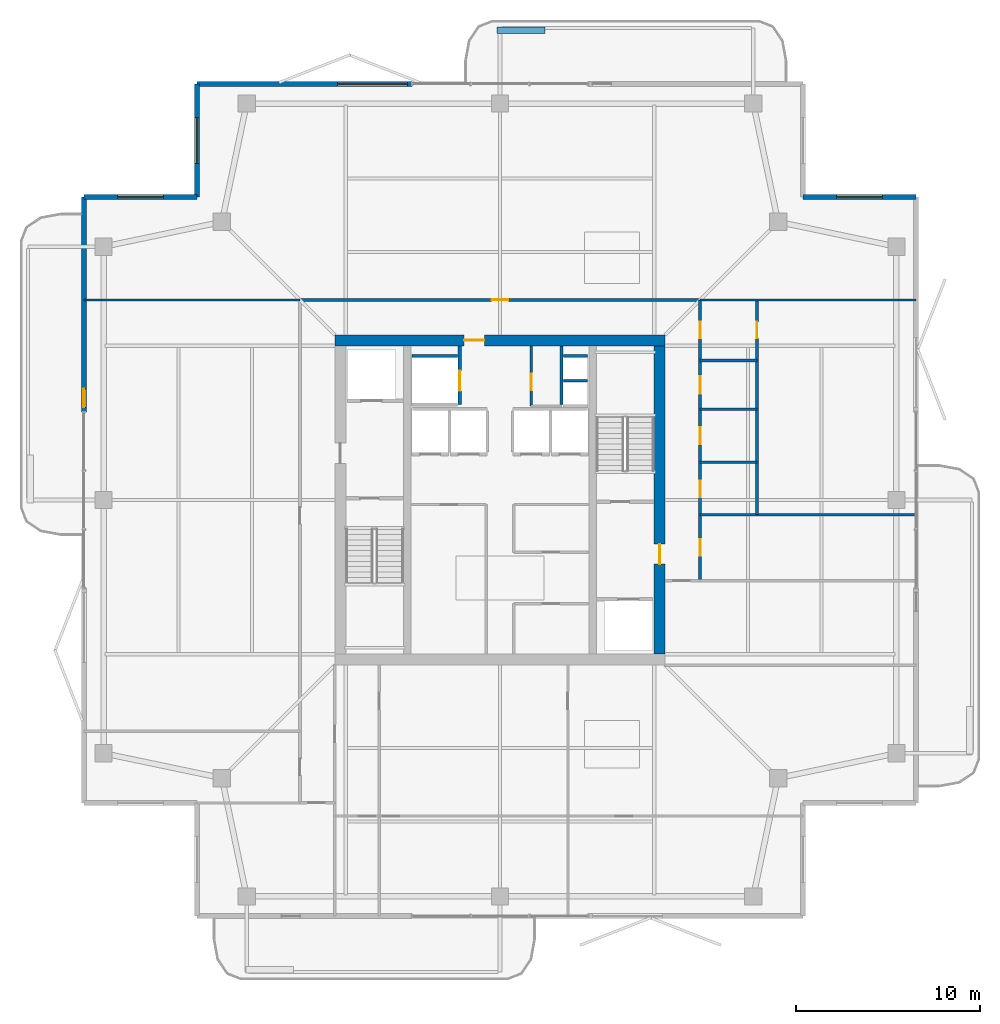
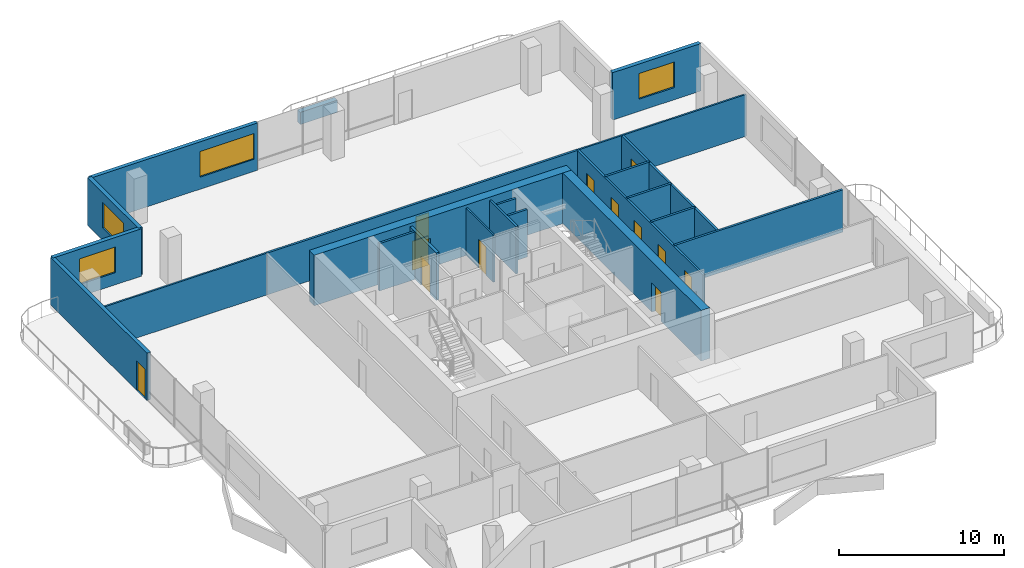
# One storey, part 14 of 17: 23 walls, 12 doors, 4 windows, 16 openings.
"""IFC4 building model written with IfcOpenShell, lengths in metres."""

from ifc_helpers import new_model, si_unit, direction, frame, frame_2d, origin, place, context, subcontext, project, spatial, rectangle, extrude, material, layer, layer_set, type_object, element, fill, save


model = new_model("IFC4")

# Units and contexts
model_context = context("Model", 3, precision=1e-05, world=origin(), true_north=direction((0.0, 1.0)))
body_context = subcontext(model_context, "Body", "Model", "MODEL_VIEW")
ifc_project = project(units=[si_unit("LENGTHUNIT", "METRE"), si_unit("AREAUNIT", "SQUARE_METRE"), si_unit("VOLUMEUNIT", "CUBIC_METRE"), si_unit("PLANEANGLEUNIT", "RADIAN"), si_unit("MASSUNIT", "GRAM", prefix="KILO")], contexts=[model_context])

# Site, building, storey
site_placement = place(None, origin())
site = spatial("IfcSite", under=ifc_project, at=site_placement, CompositionType="ELEMENT")
building_placement = place(site_placement, origin())
building = spatial("IfcBuilding", under=site, at=building_placement, Name="Belovzor Exchange Tower", CompositionType="ELEMENT")
storey_placement = place(building_placement, frame((0.0, 0.0, 325.5)))
storey = spatial("IfcBuildingStorey", under=building, at=storey_placement, Name="L81", CompositionType="ELEMENT", Elevation=325.5)

# Walls
ifc_material_1 = material(Name="Acoustic Plasterboard on Galvanised Studs", Category="gypsum")
ifc_layer_1 = layer(ifc_material_1, 0.1201171875)
ifc_layer_set_1 = layer_set([ifc_layer_1], Name="Acoustic Plasterboard on Galvanised Studs")
wall_type_1 = type_object("IfcWallType", Name="Acoustic Double-Stud Partition Wall 120", PredefinedType="PARTITIONING", material=ifc_layer_set_1)
for number, where, z_axis, x_axis, name in (
    (1, (6.1298828125, 39.699951171875, 0.0), (0.0, 0.0, 1.0), (1.0, 0.0, 0.0), "W-P120 Partition Wall W-L81-END-NW"),
    (2, (39.699951171875, 39.699951171875, 0.0), (0.0, 0.0, 1.0), (1.0, 0.0, 0.0), "W-P120 Partition Wall W-L81-END-NE"),
):
    element("IfcWall", number, at=place(storey_placement, frame(where, z_axis=z_axis, x_axis=x_axis)), inside=storey, type_object=wall_type_1, Name=name, PredefinedType="PARTITIONING", context=body_context, shape_type="SweptSolid", body=[
        extrude(rectangle(XDim=11.77001953125, YDim=0.1201171875, at=frame_2d((5.885009765625, 0.0))), origin(), (0.0, 0.0, 1.0), 3.094970703125),
    ])

# Wall, opening, door
ifc_material_2 = material(Name="Fire-Rated Plasterboard on Galvanised Studs", Category="gypsum")
ifc_layer_2 = layer(ifc_material_2, 0.1201171875)
ifc_layer_set_2 = layer_set([ifc_layer_2], Name="Fire-Rated Plasterboard on Galvanised Studs")
wall_type_2 = type_object("IfcWallType", Name="Fire-Rated Double-Stud Partition Wall 120", PredefinedType="PARTITIONING", material=ifc_layer_set_2)
wall_1_placement = place(storey_placement, frame((30.5, 33.925048828125, 0.0), z_axis=(0.0, 0.0, 1.0), x_axis=(0.0, 1.0, 0.0)))
wall_1 = element("IfcWall", 3, at=wall_1_placement, inside=storey, type_object=wall_type_2, Name="W-P120F Partition Wall W-CRV-L81-W", PredefinedType="PARTITIONING", context=body_context, shape_type="SweptSolid", body=[
    extrude(rectangle(XDim=3.27490234375, YDim=0.1201171875, at=frame_2d((1.637451171875, 0.0))), origin(), (0.0, 0.0, 1.0), 3.510009765625),
])
opening_1_placement = place(wall_1_placement, frame((0.85009765625, 0.0, 0.0)))
opening_1 = element("IfcOpeningElement", 4, at=opening_1_placement, cuts=wall_1, Name="Opening D-FD60-090", PredefinedType="OPENING", context=body_context, shape_type="SweptSolid", body=[
    extrude(rectangle(XDim=0.89990234375, YDim=2.10009765625, at=frame_2d((0.449951171875, 1.050048828125))), frame((0.0, 0.070068359375, 0.0), z_axis=(0.0, -1.0, 0.0), x_axis=(1.0, 0.0, 0.0)), (0.0, 0.0, 1.0), 0.14013671875),
])
ifc_material_3 = material(Name="Acoustic Timber Fire Leaf", Category="wood")
door_type_1 = type_object("IfcDoorType", Name="Core Service & Restroom Fire Door 900x2100", OperationType="NOTDEFINED", PredefinedType="DOOR", material=ifc_material_3)
door_1_placement = place(opening_1_placement, origin())
door_1 = element("IfcDoor", 5, at=door_1_placement, inside=storey, type_object=door_type_1, Name="D-FD60-090 Core Service & Restroom Fire Door 900x2100", OperationType="SINGLE_SWING_LEFT", OverallHeight=2.10009765625, OverallWidth=0.89990234375, PredefinedType="DOOR", context=body_context, shape_type="SweptSolid", body=[
    extrude(rectangle(XDim=0.89990234375, YDim=2.10009765625, at=frame_2d((0.449951171875, 1.050048828125))), frame((0.0, 0.02490234375, 0.0), z_axis=(0.0, -1.0, 0.0), x_axis=(1.0, 0.0, 0.0)), (0.0, 0.0, 1.0), 0.050048828125),
])
fill(opening_1, door_1)

ifc_material_4 = material(Name="Fire-Rated Gypsum Block and Mineral Wool", Category="gypsum")
ifc_layer_3 = layer(ifc_material_4, 0.14990234375)
ifc_layer_set_3 = layer_set([ifc_layer_3], Name="Fire-Rated Gypsum Block and Mineral Wool")
wall_type_3 = type_object("IfcWallType", Name="Fire-Rated Gypsum Block Corridor Wall 150", PredefinedType="PARTITIONING", material=ifc_layer_set_3)
wall_2_placement = place(storey_placement, frame((42.800048828125, 28.0, 0.0), z_axis=(0.0, 0.0, 1.0), x_axis=(0.0, 1.0, 0.0)))
wall_2 = element("IfcWall", 6, at=wall_2_placement, inside=storey, type_object=wall_type_3, Name="W-P150 Partition Wall W-L81-EWC-E", PredefinedType="PARTITIONING", context=body_context, shape_type="SweptSolid", body=[
    extrude(rectangle(XDim=11.699951171875, YDim=0.14990234375, at=frame_2d((5.85009765625, 0.0))), origin(), (0.0, 0.0, 1.0), 3.094970703125),
])
opening_2_placement = place(wall_2_placement, frame((9.60009765625, 0.0, 0.0)))
opening_2 = element("IfcOpeningElement", 7, at=opening_2_placement, cuts=wall_2, Name="Opening D-INT-090", PredefinedType="OPENING", context=body_context, shape_type="SweptSolid", body=[
    extrude(rectangle(XDim=0.89990234375, YDim=2.10009765625, at=frame_2d((0.449951171875, 1.050048828125))), frame((0.0, 0.0849609375, 0.0), z_axis=(0.0, -1.0, 0.0), x_axis=(1.0, 0.0, 0.0)), (0.0, 0.0, 1.0), 0.169921875),
])
ifc_material_5 = material(Name="Veneered Hardwood Acoustic Leaf", Category="wood")
door_type_2 = type_object("IfcDoorType", Name="Trading Suite Acoustic Single Door 900x2100", OperationType="NOTDEFINED", PredefinedType="DOOR", material=ifc_material_5)
door_2_placement = place(opening_2_placement, origin())
door_2 = element("IfcDoor", 8, at=door_2_placement, inside=storey, type_object=door_type_2, Name="D-INT-090 Trading Suite Acoustic Single Door 900x2100", OperationType="SINGLE_SWING_RIGHT", OverallHeight=2.10009765625, OverallWidth=0.89990234375, PredefinedType="DOOR", context=body_context, shape_type="SweptSolid", body=[
    extrude(rectangle(XDim=0.89990234375, YDim=2.10009765625, at=frame_2d((0.449951171875, 1.050048828125))), frame((0.0, 0.02490234375, 0.0), z_axis=(0.0, -1.0, 0.0), x_axis=(1.0, 0.0, 0.0)), (0.0, 0.0, 1.0), 0.050048828125),
])
fill(opening_2, door_2)

# Walls
wall_3_placement = place(storey_placement, frame((39.699951171875, 28.0, 0.0), z_axis=(0.0, 0.0, 1.0), x_axis=(1.0, 0.0, 0.0)))
element("IfcWall", 9, at=wall_3_placement, inside=storey, type_object=wall_type_3, Name="W-P150 Partition Wall W-L81-EWC-S", PredefinedType="PARTITIONING", context=body_context, shape_type="SweptSolid", body=[
    extrude(rectangle(XDim=11.77001953125, YDim=0.14990234375, at=frame_2d((5.885009765625, 0.0))), origin(), (0.0, 0.0, 1.0), 3.135009765625),
])
for number, where, z_axis, x_axis, name in (
    (10, (39.699951171875, 36.39990234375, 0.0), (0.0, 0.0, 1.0), (1.0, 0.0, 0.0), "W-P150 Partition Wall W-L81-EWC-N"),
    (11, (39.699951171875, 30.85009765625, 0.0), (0.0, 0.0, 1.0), (1.0, 0.0, 0.0), "W-P150 Partition Wall W-L81-EWC-D1"),
    (12, (39.699951171875, 33.75, 0.0), (0.0, 0.0, 1.0), (1.0, 0.0, 0.0), "W-P150 Partition Wall W-L81-EWC-D2"),
):
    element("IfcWall", number, at=place(storey_placement, frame(where, z_axis=z_axis, x_axis=x_axis)), inside=storey, type_object=wall_type_3, Name=name, PredefinedType="PARTITIONING", context=body_context, shape_type="SweptSolid", body=[
        extrude(rectangle(XDim=3.10009765625, YDim=0.14990234375, at=frame_2d((1.550048828125, 0.0))), origin(), (0.0, 0.0, 1.0), 3.135009765625),
    ])

# Wall, opening, door
wall_4_placement = place(storey_placement, frame((17.89990234375, 39.699951171875, 0.0), z_axis=(0.0, 0.0, 1.0), x_axis=(1.0, 0.0, 0.0)))
wall_4 = element("IfcWall", 13, at=wall_4_placement, inside=storey, type_object=wall_type_3, Name="W-P150 Partition Wall W-L81-CN", PredefinedType="PARTITIONING", context=body_context, shape_type="SweptSolid", body=[
    extrude(rectangle(XDim=21.800048828125, YDim=0.14990234375, at=frame_2d((10.89990234375, 0.0))), origin(), (0.0, 0.0, 1.0), 3.094970703125),
])
opening_3_placement = place(wall_4_placement, frame((10.449951171875, 0.0, 0.0)))
opening_3 = element("IfcOpeningElement", 14, at=opening_3_placement, cuts=wall_4, Name="Opening D-INT-090", PredefinedType="OPENING", context=body_context, shape_type="SweptSolid", body=[
    extrude(rectangle(XDim=0.89990234375, YDim=2.10009765625, at=frame_2d((0.449951171875, 1.050048828125))), frame((0.0, 0.0849609375, 0.0), z_axis=(0.0, -1.0, 0.0), x_axis=(1.0, 0.0, 0.0)), (0.0, 0.0, 1.0), 0.169921875),
])
door_3_placement = place(opening_3_placement, origin())
door_3 = element("IfcDoor", 15, at=door_3_placement, inside=storey, type_object=door_type_2, Name="D-INT-090 Trading Suite Acoustic Single Door 900x2100", OperationType="SINGLE_SWING_LEFT", OverallHeight=2.10009765625, OverallWidth=0.89990234375, PredefinedType="DOOR", context=body_context, shape_type="SweptSolid", body=[
    extrude(rectangle(XDim=0.89990234375, YDim=2.10009765625, at=frame_2d((0.449951171875, 1.050048828125))), frame((0.0, 0.02490234375, 0.0), z_axis=(0.0, -1.0, 0.0), x_axis=(1.0, 0.0, 0.0)), (0.0, 0.0, 1.0), 0.050048828125),
])
fill(opening_3, door_3)

# Wall, openings, doors
wall_5_placement = place(storey_placement, frame((39.699951171875, 24.39990234375, 0.0), z_axis=(0.0, 0.0, 1.0), x_axis=(0.0, 1.0, 0.0)))
wall_5 = element("IfcWall", 16, at=wall_5_placement, inside=storey, type_object=wall_type_3, Name="W-P150 Partition Wall W-L81-CE", PredefinedType="PARTITIONING", context=body_context, shape_type="SweptSolid", body=[
    extrude(rectangle(XDim=15.300048828125, YDim=0.14990234375, at=frame_2d((7.64990234375, 0.0))), origin(), (0.0, 0.0, 1.0), 3.094970703125),
])
opening_4_placement = place(wall_5_placement, frame((1.35009765625, 0.0, 0.0)))
opening_4 = element("IfcOpeningElement", 17, at=opening_4_placement, cuts=wall_5, Name="Opening D-INT-090", PredefinedType="OPENING", context=body_context, shape_type="SweptSolid", body=[
    extrude(rectangle(XDim=0.89990234375, YDim=2.10009765625, at=frame_2d((0.449951171875, 1.050048828125))), frame((0.0, 0.0849609375, 0.0), z_axis=(0.0, -1.0, 0.0), x_axis=(1.0, 0.0, 0.0)), (0.0, 0.0, 1.0), 0.169921875),
])
opening_5_placement = place(wall_5_placement, frame((4.550048828125, 0.0, 0.0)))
opening_5 = element("IfcOpeningElement", 18, at=opening_5_placement, cuts=wall_5, Name="Opening D-FD60-090", PredefinedType="OPENING", context=body_context, shape_type="SweptSolid", body=[
    extrude(rectangle(XDim=0.89990234375, YDim=2.10009765625, at=frame_2d((0.449951171875, 1.050048828125))), frame((0.0, 0.0849609375, 0.0), z_axis=(0.0, -1.0, 0.0), x_axis=(1.0, 0.0, 0.0)), (0.0, 0.0, 1.0), 0.169921875),
])
opening_6_placement = place(wall_5_placement, frame((7.449951171875, 0.0, 0.0)))
opening_6 = element("IfcOpeningElement", 19, at=opening_6_placement, cuts=wall_5, Name="Opening D-FD60-090", PredefinedType="OPENING", context=body_context, shape_type="SweptSolid", body=[
    extrude(rectangle(XDim=0.89990234375, YDim=2.10009765625, at=frame_2d((0.449951171875, 1.050048828125))), frame((0.0, 0.0849609375, 0.0), z_axis=(0.0, -1.0, 0.0), x_axis=(1.0, 0.0, 0.0)), (0.0, 0.0, 1.0), 0.169921875),
])
opening_7_placement = place(wall_5_placement, frame((10.199951171875, 0.0, 0.0)))
opening_7 = element("IfcOpeningElement", 20, at=opening_7_placement, cuts=wall_5, Name="Opening D-FD60-095", PredefinedType="OPENING", context=body_context, shape_type="SweptSolid", body=[
    extrude(rectangle(XDim=0.949951171875, YDim=2.10009765625, at=frame_2d((0.47509765625, 1.050048828125))), frame((0.0, 0.0849609375, 0.0), z_axis=(0.0, -1.0, 0.0), x_axis=(1.0, 0.0, 0.0)), (0.0, 0.0, 1.0), 0.169921875),
])
opening_8_placement = place(wall_5_placement, frame((13.199951171875, 0.0, 0.0)))
opening_8 = element("IfcOpeningElement", 21, at=opening_8_placement, cuts=wall_5, Name="Opening D-FD60-090", PredefinedType="OPENING", context=body_context, shape_type="SweptSolid", body=[
    extrude(rectangle(XDim=0.89990234375, YDim=2.10009765625, at=frame_2d((0.449951171875, 1.050048828125))), frame((0.0, 0.0849609375, 0.0), z_axis=(0.0, -1.0, 0.0), x_axis=(1.0, 0.0, 0.0)), (0.0, 0.0, 1.0), 0.169921875),
])
ifc_material_6 = material(Name="Moisture-Resistant Timber Fire Leaf", Category="wood")
door_type_3 = type_object("IfcDoorType", Name="Accessible Restroom Wide Fire Door 950x2100", OperationType="NOTDEFINED", PredefinedType="DOOR", material=ifc_material_6)
door_4_placement = place(opening_7_placement, origin())
door_4 = element("IfcDoor", 22, at=door_4_placement, inside=storey, type_object=door_type_3, Name="D-FD60-095 Accessible Restroom Wide Fire Door 950x2100", OperationType="SINGLE_SWING_LEFT", OverallHeight=2.10009765625, OverallWidth=0.949951171875, PredefinedType="DOOR", context=body_context, shape_type="SweptSolid", body=[
    extrude(rectangle(XDim=0.949951171875, YDim=2.10009765625, at=frame_2d((0.47509765625, 1.050048828125))), frame((0.0, 0.02490234375, 0.0), z_axis=(0.0, -1.0, 0.0), x_axis=(1.0, 0.0, 0.0)), (0.0, 0.0, 1.0), 0.050048828125),
])
fill(opening_7, door_4)
door_5_placement = place(opening_5_placement, origin())
door_5 = element("IfcDoor", 23, at=door_5_placement, inside=storey, type_object=door_type_1, Name="D-FD60-090 Core Service & Restroom Fire Door 900x2100", OperationType="SINGLE_SWING_LEFT", OverallHeight=2.10009765625, OverallWidth=0.89990234375, PredefinedType="DOOR", context=body_context, shape_type="SweptSolid", body=[
    extrude(rectangle(XDim=0.89990234375, YDim=2.10009765625, at=frame_2d((0.449951171875, 1.050048828125))), frame((0.0, 0.02490234375, 0.0), z_axis=(0.0, -1.0, 0.0), x_axis=(1.0, 0.0, 0.0)), (0.0, 0.0, 1.0), 0.050048828125),
])
fill(opening_5, door_5)
door_6_placement = place(opening_6_placement, origin())
door_6 = element("IfcDoor", 24, at=door_6_placement, inside=storey, type_object=door_type_1, Name="D-FD60-090 Core Service & Restroom Fire Door 900x2100", OperationType="SINGLE_SWING_RIGHT", OverallHeight=2.10009765625, OverallWidth=0.89990234375, PredefinedType="DOOR", context=body_context, shape_type="SweptSolid", body=[
    extrude(rectangle(XDim=0.89990234375, YDim=2.10009765625, at=frame_2d((0.449951171875, 1.050048828125))), frame((0.0, 0.02490234375, 0.0), z_axis=(0.0, -1.0, 0.0), x_axis=(1.0, 0.0, 0.0)), (0.0, 0.0, 1.0), 0.050048828125),
])
fill(opening_6, door_6)
door_7_placement = place(opening_8_placement, origin())
door_7 = element("IfcDoor", 25, at=door_7_placement, inside=storey, type_object=door_type_1, Name="D-FD60-090 Core Service & Restroom Fire Door 900x2100", OperationType="SINGLE_SWING_RIGHT", OverallHeight=2.10009765625, OverallWidth=0.89990234375, PredefinedType="DOOR", context=body_context, shape_type="SweptSolid", body=[
    extrude(rectangle(XDim=0.89990234375, YDim=2.10009765625, at=frame_2d((0.449951171875, 1.050048828125))), frame((0.0, 0.02490234375, 0.0), z_axis=(0.0, -1.0, 0.0), x_axis=(1.0, 0.0, 0.0)), (0.0, 0.0, 1.0), 0.050048828125),
])
fill(opening_8, door_7)
door_8_placement = place(opening_4_placement, origin())
door_8 = element("IfcDoor", 26, at=door_8_placement, inside=storey, type_object=door_type_2, Name="D-INT-090 Trading Suite Acoustic Single Door 900x2100", OperationType="SINGLE_SWING_RIGHT", OverallHeight=2.10009765625, OverallWidth=0.89990234375, PredefinedType="DOOR", context=body_context, shape_type="SweptSolid", body=[
    extrude(rectangle(XDim=0.89990234375, YDim=2.10009765625, at=frame_2d((0.449951171875, 1.050048828125))), frame((0.0, 0.02490234375, 0.0), z_axis=(0.0, -1.0, 0.0), x_axis=(1.0, 0.0, 0.0)), (0.0, 0.0, 1.0), 0.050048828125),
])
fill(opening_4, door_8)

# Wall, opening, window
ifc_material_7 = material(Name="Precast concrete C40/50", Category="concrete")
ifc_layer_4 = layer(ifc_material_7, 0.280029296875)
ifc_layer_set_4 = layer_set([ifc_layer_4], Name="Precast concrete C40/50")
wall_type_4 = type_object("IfcWallType", Name="Precast Concrete Notched Corner Frame Wall 280", PredefinedType="SOLIDWALL", material=ifc_layer_set_4)
wall_6_placement = place(storey_placement, frame((6.1298828125, 45.300048828125, 0.0), z_axis=(0.0, 0.0, 1.0), x_axis=(1.0, 0.0, 0.0)))
wall_6 = element("IfcWall", 27, at=wall_6_placement, inside=storey, type_object=wall_type_4, Name="W-CRN280 Precast Concrete Notched Corner Frame Wall 280 L81", PredefinedType="SOLIDWALL", context=body_context, shape_type="SweptSolid", body=[
    extrude(rectangle(XDim=6.170166015625, YDim=0.280029296875, at=frame_2d((3.0849609375, 0.0))), origin(), (0.0, 0.0, 1.0), 3.510009765625),
])
opening_9_placement = place(wall_6_placement, frame((1.8349609375, 0.0, 0.89990234375)))
opening_9 = element("IfcOpeningElement", 28, at=opening_9_placement, cuts=wall_6, Name="Opening WN-CRN250", PredefinedType="OPENING", context=body_context, shape_type="SweptSolid", body=[
    extrude(rectangle(XDim=2.5, YDim=1.89990234375, at=frame_2d((1.25, 0.949951171875))), frame((0.0, 0.14990234375, 0.0), z_axis=(0.0, -1.0, 0.0), x_axis=(1.0, 0.0, 0.0)), (0.0, 0.0, 1.0), 0.300048828125),
])
ifc_material_8 = material(Name="Thermally Broken Aluminium and Triple Glazing", Category="aluminium")
window_type_1 = type_object("IfcWindowType", Name="Streamline Moderne Corner Wrap Ribbon Window 2500x1900", PartitioningType="SINGLE_PANEL", PredefinedType="WINDOW", material=ifc_material_8)
window_1_placement = place(opening_9_placement, origin())
window_1 = element("IfcWindow", 29, at=window_1_placement, inside=storey, type_object=window_type_1, Name="WN-CRN250 Streamline Moderne Corner Wrap Ribbon Window 2500x1900", OverallHeight=1.89990234375, OverallWidth=2.5, PartitioningType="SINGLE_PANEL", PredefinedType="WINDOW", context=body_context, shape_type="SweptSolid", body=[
    extrude(rectangle(XDim=2.5, YDim=1.89990234375, at=frame_2d((1.25, 0.949951171875))), frame((0.0, 0.030029296875, 0.0), z_axis=(0.0, -1.0, 0.0), x_axis=(1.0, 0.0, 0.0)), (0.0, 0.0, 1.0), 0.06005859375),
])
fill(opening_9, window_1)

wall_7_placement = place(storey_placement, frame((12.300048828125, 45.300048828125, 0.0), z_axis=(0.0, 0.0, 1.0), x_axis=(0.0, 1.0, 0.0)))
wall_7 = element("IfcWall", 30, at=wall_7_placement, inside=storey, type_object=wall_type_4, Name="W-CRN280 Precast Concrete Notched Corner Frame Wall 280 L81", PredefinedType="SOLIDWALL", context=body_context, shape_type="SweptSolid", body=[
    extrude(rectangle(XDim=6.169921875, YDim=0.280029296875, at=frame_2d((3.0849609375, 0.0))), origin(), (0.0, 0.0, 1.0), 3.510009765625),
])
opening_10_placement = place(wall_7_placement, frame((1.8349609375, 0.0, 0.89990234375)))
opening_10 = element("IfcOpeningElement", 31, at=opening_10_placement, cuts=wall_7, Name="Opening WN-CRN250", PredefinedType="OPENING", context=body_context, shape_type="SweptSolid", body=[
    extrude(rectangle(XDim=2.5, YDim=1.89990234375, at=frame_2d((1.25, 0.949951171875))), frame((0.0, 0.14990234375, 0.0), z_axis=(0.0, -1.0, 0.0), x_axis=(1.0, 0.0, 0.0)), (0.0, 0.0, 1.0), 0.300048828125),
])
window_2_placement = place(opening_10_placement, origin())
window_2 = element("IfcWindow", 32, at=window_2_placement, inside=storey, type_object=window_type_1, Name="WN-CRN250 Streamline Moderne Corner Wrap Ribbon Window 2500x1900", OverallHeight=1.89990234375, OverallWidth=2.5, PartitioningType="SINGLE_PANEL", PredefinedType="WINDOW", context=body_context, shape_type="SweptSolid", body=[
    extrude(rectangle(XDim=2.5, YDim=1.89990234375, at=frame_2d((1.25, 0.949951171875))), frame((0.0, 0.030029296875, 0.0), z_axis=(0.0, -1.0, 0.0), x_axis=(1.0, 0.0, 0.0)), (0.0, 0.0, 1.0), 0.06005859375),
])
fill(opening_10, window_2)

wall_8_placement = place(storey_placement, frame((45.300048828125, 45.300048828125, 0.0), z_axis=(0.0, 0.0, 1.0), x_axis=(1.0, 0.0, 0.0)))
wall_8 = element("IfcWall", 33, at=wall_8_placement, inside=storey, type_object=wall_type_4, Name="W-CRN280 Precast Concrete Notched Corner Frame Wall 280 L81", PredefinedType="SOLIDWALL", context=body_context, shape_type="SweptSolid", body=[
    extrude(rectangle(XDim=6.169921875, YDim=0.280029296875, at=frame_2d((3.0849609375, 0.0))), origin(), (0.0, 0.0, 1.0), 3.510009765625),
])
opening_11_placement = place(wall_8_placement, frame((1.8349609375, 0.0, 0.89990234375)))
opening_11 = element("IfcOpeningElement", 34, at=opening_11_placement, cuts=wall_8, Name="Opening WN-CRN250", PredefinedType="OPENING", context=body_context, shape_type="SweptSolid", body=[
    extrude(rectangle(XDim=2.5, YDim=1.89990234375, at=frame_2d((1.25, 0.949951171875))), frame((0.0, 0.14990234375, 0.0), z_axis=(0.0, -1.0, 0.0), x_axis=(1.0, 0.0, 0.0)), (0.0, 0.0, 1.0), 0.300048828125),
])
window_3_placement = place(opening_11_placement, origin())
window_3 = element("IfcWindow", 35, at=window_3_placement, inside=storey, type_object=window_type_1, Name="WN-CRN250 Streamline Moderne Corner Wrap Ribbon Window 2500x1900", OverallHeight=1.89990234375, OverallWidth=2.5, PartitioningType="SINGLE_PANEL", PredefinedType="WINDOW", context=body_context, shape_type="SweptSolid", body=[
    extrude(rectangle(XDim=2.5, YDim=1.89990234375, at=frame_2d((1.25, 0.949951171875))), frame((0.0, 0.030029296875, 0.0), z_axis=(0.0, -1.0, 0.0), x_axis=(1.0, 0.0, 0.0)), (0.0, 0.0, 1.0), 0.06005859375),
])
fill(opening_11, window_3)

ifc_material_9 = material(Name="Precast concrete C40/50", Category="concrete")
ifc_layer_5 = layer(ifc_material_9, 0.260009765625)
ifc_layer_set_5 = layer_set([ifc_layer_5], Name="Precast concrete C40/50")
wall_type_5 = type_object("IfcWallType", Name="Precast Concrete Perimeter Loggia Frame Wall 260", PredefinedType="SOLIDWALL", material=ifc_layer_set_5)
wall_9_placement = place(storey_placement, frame((12.300048828125, 51.469970703125, 0.0), z_axis=(0.0, 0.0, 1.0), x_axis=(1.0, 0.0, 0.0)))
wall_9 = element("IfcWall", 36, at=wall_9_placement, inside=storey, type_object=wall_type_5, Name="W-EXT260 Precast Concrete Perimeter Loggia Frame Wall 260 L81", PredefinedType="SOLIDWALL", context=body_context, shape_type="SweptSolid", body=[
    extrude(rectangle(XDim=11.699951171875, YDim=0.260009765625, at=frame_2d((5.85009765625, 0.0))), origin(), (0.0, 0.0, 1.0), 3.510009765625),
])
opening_12_placement = place(wall_9_placement, frame((7.64990234375, 0.0, 0.89990234375)))
opening_12 = element("IfcOpeningElement", 37, at=opening_12_placement, cuts=wall_9, Name="Opening WN-RIB380", PredefinedType="OPENING", context=body_context, shape_type="SweptSolid", body=[
    extrude(rectangle(XDim=3.800048828125, YDim=1.89990234375, at=frame_2d((1.89990234375, 0.949951171875))), frame((0.0, 0.139892578125, 0.0), z_axis=(0.0, -1.0, 0.0), x_axis=(1.0, 0.0, 0.0)), (0.0, 0.0, 1.0), 0.280029296875),
])
ifc_material_10 = material(Name="Thermally Broken Aluminium and Triple Glazing", Category="aluminium")
window_type_2 = type_object("IfcWindowType", Name="Streamline Moderne Horizontal Ribbon Window 3800x1900", PartitioningType="SINGLE_PANEL", PredefinedType="WINDOW", material=ifc_material_10)
window_4_placement = place(opening_12_placement, origin())
window_4 = element("IfcWindow", 38, at=window_4_placement, inside=storey, type_object=window_type_2, Name="WN-RIB380 Streamline Moderne Horizontal Ribbon Window 3800x1900", OverallHeight=1.89990234375, OverallWidth=3.800048828125, PartitioningType="SINGLE_PANEL", PredefinedType="WINDOW", context=body_context, shape_type="SweptSolid", body=[
    extrude(rectangle(XDim=3.800048828125, YDim=1.89990234375, at=frame_2d((1.89990234375, 0.949951171875))), frame((0.0, 0.030029296875, 0.0), z_axis=(0.0, -1.0, 0.0), x_axis=(1.0, 0.0, 0.0)), (0.0, 0.0, 1.0), 0.06005859375),
])
fill(opening_12, window_4)

# Wall, opening, door
wall_10_placement = place(storey_placement, frame((6.1298828125, 33.60009765625, 0.0), z_axis=(0.0, 0.0, 1.0), x_axis=(0.0, 1.0, 0.0)))
wall_10 = element("IfcWall", 39, at=wall_10_placement, inside=storey, type_object=wall_type_5, Name="W-EXT260 Precast Concrete Perimeter Loggia Frame Wall 260 L81", PredefinedType="SOLIDWALL", context=body_context, shape_type="SweptSolid", body=[
    extrude(rectangle(XDim=11.699951171875, YDim=0.260009765625, at=frame_2d((5.85009765625, 0.0))), origin(), (0.0, 0.0, 1.0), 3.510009765625),
])
opening_13_placement = place(wall_10_placement, frame((0.25, 0.0, 0.0)))
opening_13 = element("IfcOpeningElement", 40, at=opening_13_placement, cuts=wall_10, Name="Opening D-BAL100", PredefinedType="OPENING", context=body_context, shape_type="SweptSolid", body=[
    extrude(rectangle(XDim=1.0, YDim=2.199951171875, at=frame_2d((0.5, 1.10009765625))), frame((0.0, 0.139892578125, 0.0), z_axis=(0.0, -1.0, 0.0), x_axis=(1.0, 0.0, 0.0)), (0.0, 0.0, 1.0), 0.280029296875),
])
ifc_material_11 = material(Name="Thermally Broken Anodised Aluminium and Laminated Glass", Category="aluminium")
door_type_4 = type_object("IfcDoorType", Name="Planted Loggia Terrace Glazed Door 1000x2200", OperationType="SINGLE_SWING_LEFT", PredefinedType="DOOR", material=ifc_material_11)
door_9_placement = place(opening_13_placement, origin())
door_9 = element("IfcDoor", 41, at=door_9_placement, inside=storey, type_object=door_type_4, Name="D-BAL100 Balcony Terrace Door L81 W", OperationType="SINGLE_SWING_RIGHT", OverallHeight=2.199951171875, OverallWidth=1.0, PredefinedType="DOOR", context=body_context, shape_type="SweptSolid", body=[
    extrude(rectangle(XDim=1.0, YDim=2.199951171875, at=frame_2d((0.5, 1.10009765625))), frame((0.0, 0.02490234375, 0.0), z_axis=(0.0, -1.0, 0.0), x_axis=(1.0, 0.0, 0.0)), (0.0, 0.0, 1.0), 0.050048828125),
])
fill(opening_13, door_9)

# Walls
ifc_material_12 = material(Name="Precast concrete C40/50", Category="concrete")
ifc_layer_6 = layer(ifc_material_12, 0.35009765625)
ifc_layer_set_6 = layer_set([ifc_layer_6], Name="Precast concrete C40/50")
wall_type_6 = type_object("IfcWallType", Name="Precast Concrete Structural Tree Planter Trough 350", PredefinedType="PARAPET", material=ifc_layer_set_6)
wall_11_placement = place(storey_placement, frame((28.64990234375, 54.39990234375, 0.0), z_axis=(0.0, 0.0, 1.0), x_axis=(1.0, 0.0, 0.0)))
element("IfcWall", 42, at=wall_11_placement, inside=storey, type_object=wall_type_6, Name="PT-350 Precast Concrete Structural Tree Planter Trough 350 L81", PredefinedType="PARAPET", context=body_context, shape_type="SweptSolid", body=[
    extrude(rectangle(XDim=2.60009765625, YDim=0.35009765625, at=frame_2d((1.300048828125, 0.0))), origin(), (0.0, 0.0, 1.0), 0.89990234375),
])
ifc_material_13 = material(Name="Concrete C50/60", Category="concrete")
ifc_layer_7 = layer(ifc_material_13, 0.14990234375)
ifc_layer_set_7 = layer_set([ifc_layer_7], Name="Concrete C50/60")
wall_type_7 = type_object("IfcWallType", Name="Reinforced Concrete Core Riser Shear Wall 150", PredefinedType="SHEAR", material=ifc_layer_set_7)
wall_12_placement = place(storey_placement, frame((32.14990234375, 34.0, 0.0), z_axis=(0.0, 0.0, 1.0), x_axis=(0.0, 1.0, 0.0)))
element("IfcWall", 43, at=wall_12_placement, inside=storey, type_object=wall_type_7, Name="W-C150S Core Shaft Wall W-RSR-L81-E", PredefinedType="SHEAR", context=body_context, shape_type="SweptSolid", body=[
    extrude(rectangle(XDim=3.199951171875, YDim=0.14990234375, at=frame_2d((1.60009765625, 0.0))), origin(), (0.0, 0.0, 1.0), 3.510009765625),
])
wall_13_placement = place(storey_placement, frame((32.25, 35.300048828125, 0.0), z_axis=(0.0, 0.0, 1.0), x_axis=(1.0, 0.0, 0.0)))
element("IfcWall", 44, at=wall_13_placement, inside=storey, type_object=wall_type_7, Name="W-C150S Core Shaft Wall W-RSR-L81-M", PredefinedType="SHEAR", context=body_context, shape_type="SweptSolid", body=[
    extrude(rectangle(XDim=1.330078125, YDim=0.14990234375, at=frame_2d((0.6650390625, 0.0))), origin(), (0.0, 0.0, 1.0), 3.510009765625),
])
wall_14_placement = place(storey_placement, frame((24.0, 36.64990234375, 0.0), z_axis=(0.0, 0.0, 1.0), x_axis=(1.0, 0.0, 0.0)))
element("IfcWall", 45, at=wall_14_placement, inside=storey, type_object=wall_type_7, Name="W-C150S Core Shaft Wall W-SH-L81-SL-01N", PredefinedType="SHEAR", context=body_context, shape_type="SweptSolid", body=[
    extrude(rectangle(XDim=2.47998046875, YDim=0.14990234375, at=frame_2d((1.239990234375, 0.0))), origin(), (0.0, 0.0, 1.0), 3.510009765625),
])
wall_15_placement = place(storey_placement, frame((32.25, 36.64990234375, 0.0), z_axis=(0.0, 0.0, 1.0), x_axis=(1.0, 0.0, 0.0)))
element("IfcWall", 46, at=wall_15_placement, inside=storey, type_object=wall_type_7, Name="W-C150S Core Shaft Wall W-RSR-L81-N", PredefinedType="SHEAR", context=body_context, shape_type="SweptSolid", body=[
    extrude(rectangle(XDim=1.330078125, YDim=0.14990234375, at=frame_2d((0.6650390625, 0.0))), origin(), (0.0, 0.0, 1.0), 3.510009765625),
])

# Wall, opening, door
ifc_material_14 = material(Name="Concrete C50/60", Category="concrete")
ifc_layer_8 = layer(ifc_material_14, 0.199951171875)
ifc_layer_set_8 = layer_set([ifc_layer_8], Name="Concrete C50/60")
wall_type_8 = type_object("IfcWallType", Name="Reinforced Concrete Core Shaft Shear Wall 200", PredefinedType="SHEAR", material=ifc_layer_set_8)
wall_16_placement = place(storey_placement, frame((26.60009765625, 34.0, 0.0), z_axis=(0.0, 0.0, 1.0), x_axis=(0.0, 1.0, 0.0)))
wall_16 = element("IfcWall", 47, at=wall_16_placement, inside=storey, type_object=wall_type_8, Name="W-C200S Core Shaft Wall W-SH-L81-SL-01", PredefinedType="SHEAR", context=body_context, shape_type="SweptSolid", body=[
    extrude(rectangle(XDim=3.199951171875, YDim=0.199951171875, at=frame_2d((1.60009765625, 0.0))), origin(), (0.0, 0.0, 1.0), 3.510009765625),
])
opening_14_placement = place(wall_16_placement, frame((0.75, 0.0, 0.0)))
opening_14 = element("IfcOpeningElement", 48, at=opening_14_placement, cuts=wall_16, Name="Opening LD-110", PredefinedType="OPENING", context=body_context, shape_type="SweptSolid", body=[
    extrude(rectangle(XDim=1.10009765625, YDim=2.14990234375, at=frame_2d((0.550048828125, 1.074951171875))), frame((0.0, 0.10986328125, 0.0), z_axis=(0.0, -1.0, 0.0), x_axis=(1.0, 0.0, 0.0)), (0.0, 0.0, 1.0), 0.219970703125),
])
ifc_material_15 = material(Name="Stainless Steel Grade 304", Category="steel")
door_type_5 = type_object("IfcDoorType", Name="Automated Stainless Steel Lift Landing Door 1100x2150", OperationType="SLIDING_TO_RIGHT", PredefinedType="DOOR", material=ifc_material_15)
door_10_placement = place(opening_14_placement, origin())
door_10 = element("IfcDoor", 49, at=door_10_placement, inside=storey, type_object=door_type_5, Name="LD-110 Automated Stainless Steel Lift Landing Door 1100x2150", OperationType="SLIDING_TO_RIGHT", OverallHeight=2.14990234375, OverallWidth=1.10009765625, PredefinedType="DOOR", context=body_context, shape_type="SweptSolid", body=[
    extrude(rectangle(XDim=1.10009765625, YDim=2.14990234375, at=frame_2d((0.550048828125, 1.074951171875))), frame((0.0, 0.02490234375, 0.0), z_axis=(0.0, -1.0, 0.0), x_axis=(1.0, 0.0, 0.0)), (0.0, 0.0, 1.0), 0.050048828125),
])
fill(opening_14, door_10)

ifc_material_16 = material(Name="Concrete C50/60", Category="concrete")
ifc_layer_9 = layer(ifc_material_16, 0.60009765625)
ifc_layer_set_9 = layer_set([ifc_layer_9], Name="Concrete C50/60")
wall_type_9 = type_object("IfcWallType", Name="Reinforced Concrete Core Shear Wall 600", PredefinedType="SHEAR", material=ifc_layer_set_9)
wall_17_placement = place(storey_placement, frame((19.800048828125, 37.5, 0.0), z_axis=(0.0, 0.0, 1.0), x_axis=(1.0, 0.0, 0.0)))
wall_17 = element("IfcWall", 50, at=wall_17_placement, inside=storey, type_object=wall_type_9, Name="CW-S060 Core Shear Wall L81 N", PredefinedType="SHEAR", context=body_context, shape_type="SweptSolid", body=[
    extrude(rectangle(XDim=18.0, YDim=0.60009765625, at=frame_2d((9.0, 0.0))), origin(), (0.0, 0.0, 1.0), 3.75),
])
opening_15_placement = place(wall_17_placement, frame((7.050048828125, 0.0, 0.0)))
opening_15 = element("IfcOpeningElement", 51, at=opening_15_placement, cuts=wall_17, Name="Opening D-FD90-110", PredefinedType="OPENING", context=body_context, shape_type="SweptSolid", body=[
    extrude(rectangle(XDim=1.10009765625, YDim=2.14990234375, at=frame_2d((0.550048828125, 1.074951171875))), frame((0.0, 0.31005859375, 0.0), z_axis=(0.0, -1.0, 0.0), x_axis=(1.0, 0.0, 0.0)), (0.0, 0.0, 1.0), 0.6201171875),
])
ifc_material_17 = material(Name="Fire-Rated Galvanised Steel Leaf", Category="steel")
door_type_6 = type_object("IfcDoorType", Name="Protected Escape Vestibule Fire Door 1100x2150", OperationType="NOTDEFINED", PredefinedType="DOOR", material=ifc_material_17)
door_11_placement = place(opening_15_placement, origin())
door_11 = element("IfcDoor", 52, at=door_11_placement, inside=storey, type_object=door_type_6, Name="D-FD90-110 Protected Escape Vestibule Fire Door 1100x2150", OperationType="SINGLE_SWING_LEFT", OverallHeight=2.14990234375, OverallWidth=1.10009765625, PredefinedType="DOOR", context=body_context, shape_type="SweptSolid", body=[
    extrude(rectangle(XDim=1.10009765625, YDim=2.14990234375, at=frame_2d((0.550048828125, 1.074951171875))), frame((0.0, 0.02490234375, 0.0), z_axis=(0.0, -1.0, 0.0), x_axis=(1.0, 0.0, 0.0)), (0.0, 0.0, 1.0), 0.050048828125),
])
fill(opening_15, door_11)

wall_18_placement = place(storey_placement, frame((37.5, 20.39990234375, 0.0), z_axis=(0.0, 0.0, 1.0), x_axis=(0.0, 1.0, 0.0)))
wall_18 = element("IfcWall", 53, at=wall_18_placement, inside=storey, type_object=wall_type_9, Name="CW-S060 Core Shear Wall L81 E", PredefinedType="SHEAR", context=body_context, shape_type="SweptSolid", body=[
    extrude(rectangle(XDim=16.800048828125, YDim=0.60009765625, at=frame_2d((8.39990234375, 0.0))), origin(), (0.0, 0.0, 1.0), 3.75),
])
opening_16_placement = place(wall_18_placement, frame((4.89990234375, 0.0, 0.0)))
opening_16 = element("IfcOpeningElement", 54, at=opening_16_placement, cuts=wall_18, Name="Opening D-FD90-110", PredefinedType="OPENING", context=body_context, shape_type="SweptSolid", body=[
    extrude(rectangle(XDim=1.10009765625, YDim=2.14990234375, at=frame_2d((0.550048828125, 1.074951171875))), frame((0.0, 0.31005859375, 0.0), z_axis=(0.0, -1.0, 0.0), x_axis=(1.0, 0.0, 0.0)), (0.0, 0.0, 1.0), 0.6201171875),
])
door_12_placement = place(opening_16_placement, origin())
door_12 = element("IfcDoor", 55, at=door_12_placement, inside=storey, type_object=door_type_6, Name="D-FD90-110 Protected Escape Vestibule Fire Door 1100x2150", OperationType="SINGLE_SWING_RIGHT", OverallHeight=2.14990234375, OverallWidth=1.10009765625, PredefinedType="DOOR", context=body_context, shape_type="SweptSolid", body=[
    extrude(rectangle(XDim=1.10009765625, YDim=2.14990234375, at=frame_2d((0.550048828125, 1.074951171875))), frame((0.0, 0.02490234375, 0.0), z_axis=(0.0, -1.0, 0.0), x_axis=(1.0, 0.0, 0.0)), (0.0, 0.0, 1.0), 0.050048828125),
])
fill(opening_16, door_12)

save(model, "model.ifc")
